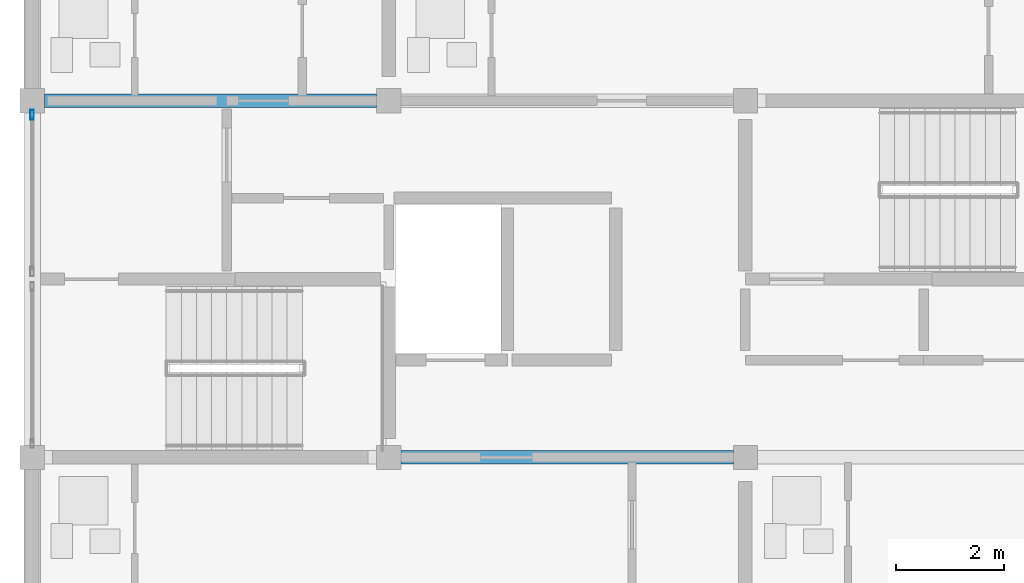
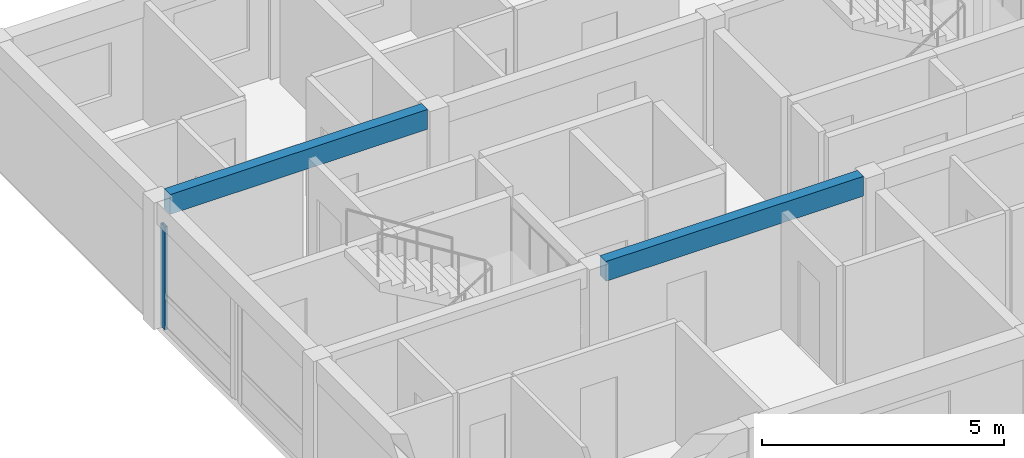
# One storey, part 3 of 22: 2 beams, 1 member, 1 element without a shape of its own.
"""IFC4 building model written with IfcOpenShell, lengths in metres."""

from ifc_helpers import new_model, si_unit, direction, frame, origin, origin_2d, place, context, subcontext, project, spatial, rectangle, hollow_rectangle, extrude, material, material_profile, profile_set, type_object, element, aggregate, save


model = new_model("IFC4")

# Units and contexts
model_context = context("Model", 3, precision=1e-05, world=origin(), true_north=direction((0.0, 1.0)))
body_context = subcontext(model_context, "Body", "Model", "MODEL_VIEW")
ifc_project = project(units=[si_unit("LENGTHUNIT", "METRE"), si_unit("AREAUNIT", "SQUARE_METRE"), si_unit("VOLUMEUNIT", "CUBIC_METRE"), si_unit("PLANEANGLEUNIT", "RADIAN"), si_unit("MASSUNIT", "GRAM", prefix="KILO")], contexts=[model_context])

# Site, building, storey
site_placement = place(None, origin())
site = spatial("IfcSite", under=ifc_project, at=site_placement, CompositionType="ELEMENT")
building_placement = place(site_placement, origin())
building = spatial("IfcBuilding", under=site, at=building_placement, Name="Kernevlak Ridge Housing Community", CompositionType="ELEMENT")
storey_placement = place(building_placement, frame((0.0, 0.0, 43.60009765625)))
storey = spatial("IfcBuildingStorey", under=building, at=storey_placement, Name="L13", CompositionType="ELEMENT", Elevation=43.60009765625)

# Beams
ifc_material_1 = material(Name="Concrete C35/45", Category="concrete")
ifc_material_profile_1 = material_profile(ifc_material_1, rectangle(XDim=0.25, YDim=0.5, at=origin_2d()), Name="RC 250x500")
ifc_profile_set_1 = profile_set([ifc_material_profile_1], Name="Concrete C35/45")
beam_type = type_object("IfcBeamType", Name="B-06", PredefinedType="T_BEAM", material=ifc_profile_set_1)
beam_1_placement = place(storey_placement, frame((22.425048828125, 82.60009765625, 2.949951171875), z_axis=(1.0, 0.0, 0.0), x_axis=(0.0, 1.0, 0.0)))
element("IfcBeam", 1, at=beam_1_placement, inside=storey, type_object=beam_type, Name="Beam B-06 L13 401", PredefinedType="T_BEAM", context=body_context, shape_type="SweptSolid", body=[
    extrude(rectangle(XDim=0.25, YDim=0.5, at=origin_2d()), origin(), (0.0, 0.0, 1.0), 6.14990234375),
])
beam_2_placement = place(storey_placement, frame((15.824951171875, 89.199951171875, 2.949951171875), z_axis=(1.0, 0.0, 0.0), x_axis=(0.0, 1.0, 0.0)))
element("IfcBeam", 2, at=beam_2_placement, inside=storey, type_object=beam_type, Name="Beam B-06 L13 405", PredefinedType="T_BEAM", context=body_context, shape_type="SweptSolid", body=[
    extrude(rectangle(XDim=0.25, YDim=0.5, at=origin_2d()), origin(), (0.0, 0.0, 1.0), 6.150146484375),
])

# Curtain wall, member
ifc_material_2 = material(Name="Aluminium EN AW-6060 anodised and laminated glass", Category="aluminium")
curtain_wall_type = type_object("IfcCurtainWallType", Name="CW-08", PredefinedType="NOTDEFINED", material=ifc_material_2)
curtain_wall_placement = place(storey_placement, origin())
curtain_wall = element("IfcCurtainWall", 3, at=curtain_wall_placement, inside=storey, type_object=curtain_wall_type, Name="Curtain wall CW-08 CW-L13-041", PredefinedType="NOTDEFINED")
ifc_material_3 = material(Name="Aluminium EN AW-6060 anodised", Category="aluminium")
ifc_material_profile_2 = material_profile(ifc_material_3, hollow_rectangle(XDim=0.06494140625, YDim=0.179931640625, WallThickness=0.00439453125, InnerFilletRadius=0.001953125, OuterFilletRadius=0.00439453125, at=origin_2d()), Name="ALU 65x180x4.5")
ifc_profile_set_2 = profile_set([ifc_material_profile_2], Name="Aluminium EN AW-6060 anodised")
member_type = type_object("IfcMemberType", Name="MU-03", PredefinedType="MULLION", material=ifc_profile_set_2)
member_placement = place(storey_placement, frame((15.60009765625, 88.9423828125, 0.0), z_axis=(0.0, 0.0, 1.0), x_axis=(-1.0, 0.0, 0.0)))
member = element("IfcMember", 4, at=member_placement, type_object=member_type, Name="CW-08 mullion 2", PredefinedType="MULLION", context=body_context, shape_type="SweptSolid", body=[
    extrude(hollow_rectangle(XDim=0.06494140625, YDim=0.179931640625, WallThickness=0.00439453125, InnerFilletRadius=0.001953125, OuterFilletRadius=0.00439453125, at=origin_2d()), origin(), (0.0, 0.0, 1.0), 2.599853515625),
])
aggregate(curtain_wall, [member])

save(model, "model.ifc")
